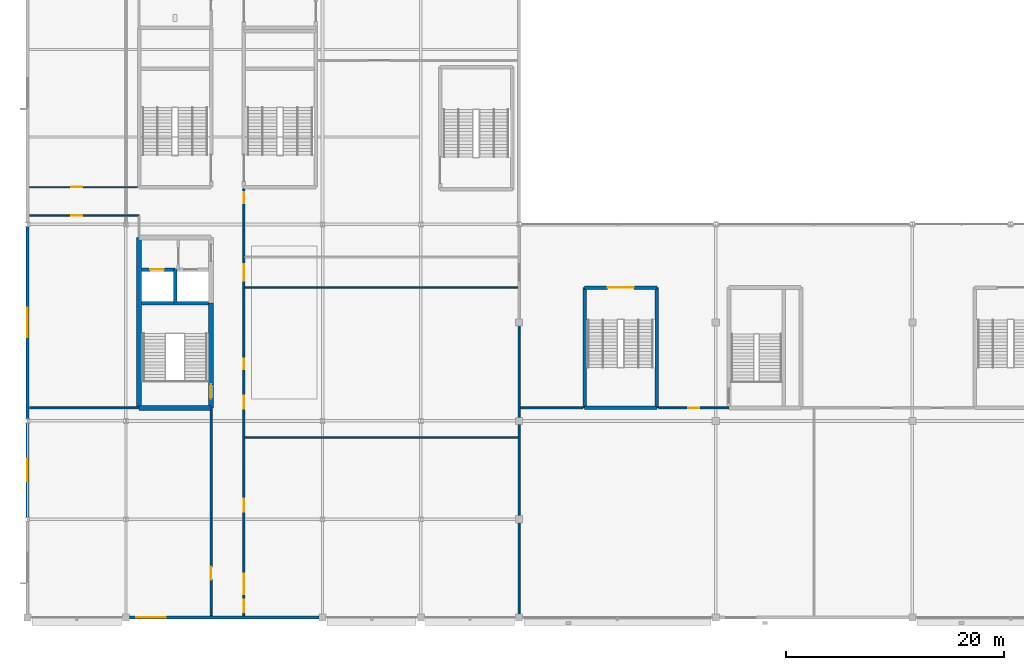
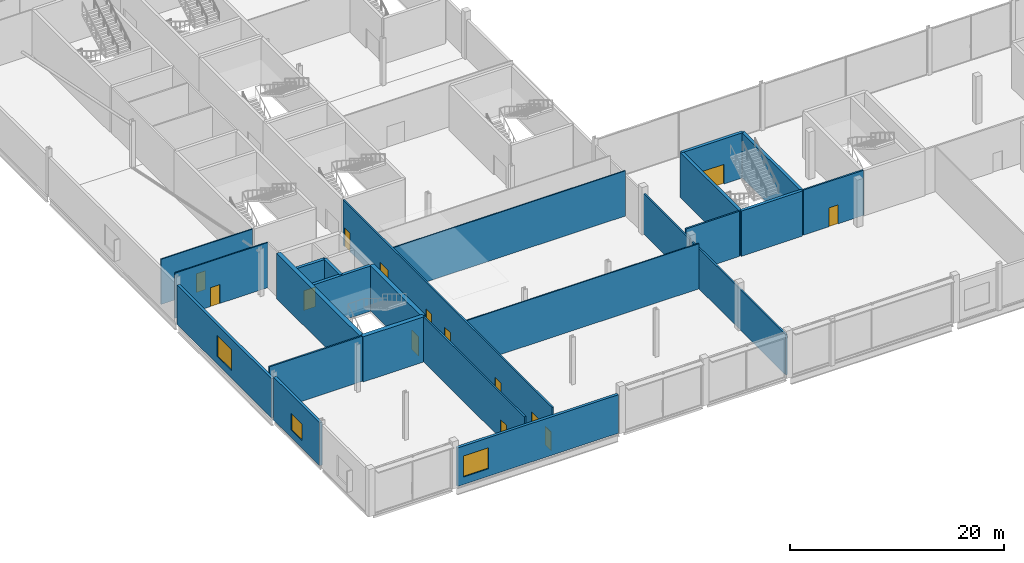
# One storey, part 58 of 111: 24 walls, 14 doors, 3 windows, 17 openings.
"""IFC4 building model written with IfcOpenShell, lengths in metres."""

import ifcopenshell
import ifcopenshell.guid

model = None  # the IFC model being written
_history = None  # IfcOwnerHistory: only IFC2X3 demands one
_inside = {}  # id of a spatial element -> (the spatial element, [elements in it])
_under = {}  # id of a project, library or spatial element -> (it, [spatial elements below it])
_declared = {}  # id of a project -> (the project, [libraries it declares])
_typed = {}  # id of a type object -> (the type object, [elements of that type])
_made_of = {}  # id of a material, layer set ... -> (it, [elements and type objects made of it])


def new_model(schema):
    """Start an empty IFC model of exactly this schema.

    Asked for "IFC4X3", IfcOpenShell would pick the latest addendum, in which some entities
    have other attributes; the version numbers below select the first issue.
    IFC2X3 requires an IfcOwnerHistory on every rooted entity: one is made here for all.
    """
    global model, _history
    if schema == "IFC4X3":
        model = ifcopenshell.file(schema_version=(4, 3, 0, 0))
    else:
        model = ifcopenshell.file(schema=schema)
    _inside.clear()
    _under.clear()
    _declared.clear()
    _typed.clear()
    _made_of.clear()
    _history = None
    if model.schema == "IFC2X3":
        org = make("IfcOrganization", Name="unknown")
        user = make(
            "IfcPersonAndOrganization",
            ThePerson=make("IfcPerson", FamilyName="unknown"),
            TheOrganization=org,
        )
        app = make(
            "IfcApplication",
            ApplicationDeveloper=org,
            Version="unknown",
            ApplicationFullName="unknown",
            ApplicationIdentifier="unknown",
        )
        _history = make(
            "IfcOwnerHistory",
            OwningUser=user,
            OwningApplication=app,
            ChangeAction="ADDED",
            CreationDate=0,
        )
    return model


def make(cls, **values):
    """One entity of the class cls with the attributes given. An attribute that is None is left unset."""
    return model.create_entity(
        cls, **{name: value for name, value in values.items() if value is not None}
    )


def rooted(cls, **values):
    """An entity with a GlobalId (a new one), such as an element, a storey or a relation."""
    return make(cls, GlobalId=ifcopenshell.guid.new(), OwnerHistory=_history, **values)


def si_unit(unit_type, name, prefix=None):
    """IfcSIUnit, for example si_unit("LENGTHUNIT", "METRE", prefix="MILLI")."""
    return make("IfcSIUnit", UnitType=unit_type, Prefix=prefix, Name=name)


def assignment(units):
    """IfcUnitAssignment: the units of a project."""
    return None if units is None else make("IfcUnitAssignment", Units=units)


def point(xyz):
    """IfcCartesianPoint."""
    return None if xyz is None else make("IfcCartesianPoint", Coordinates=xyz)


def direction(xyz):
    """IfcDirection."""
    return None if xyz is None else make("IfcDirection", DirectionRatios=xyz)


def frame(location, z_axis=None, x_axis=None):
    """IfcAxis2Placement3D, a coordinate frame: its origin and axes. An axis left out is left unset."""
    return make(
        "IfcAxis2Placement3D",
        Location=point(location),
        Axis=direction(z_axis),
        RefDirection=direction(x_axis),
    )


def frame_2d(location, x_axis=None):
    """IfcAxis2Placement2D, a coordinate frame in the plane: its origin and x axis."""
    return make(
        "IfcAxis2Placement2D", Location=point(location), RefDirection=direction(x_axis)
    )


def origin():
    """The frame at (0, 0, 0) with its axes left unset."""
    return frame((0.0, 0.0, 0.0))


def place(relative_to, where):
    """IfcLocalPlacement: puts the frame where relative to a parent placement (None: the world)."""
    return make(
        "IfcLocalPlacement", PlacementRelTo=relative_to, RelativePlacement=where
    )


def context(
    kind, dimensions, precision=None, world=None, true_north=None, identifier=None
):
    """IfcGeometricRepresentationContext, for example the 3D "Model" context."""
    return make(
        "IfcGeometricRepresentationContext",
        ContextIdentifier=identifier,
        ContextType=kind,
        CoordinateSpaceDimension=dimensions,
        Precision=precision,
        WorldCoordinateSystem=world,
        TrueNorth=true_north,
    )


def subcontext(parent, identifier, kind, view, scale=None):
    """IfcGeometricRepresentationSubContext, for example "Body" below "Model"."""
    return make(
        "IfcGeometricRepresentationSubContext",
        ContextIdentifier=identifier,
        ContextType=kind,
        ParentContext=parent,
        TargetScale=scale,
        TargetView=view,
    )


def project(units=None, contexts=None):
    """IfcProject with its units and contexts."""
    return rooted(
        "IfcProject",
        Name="project",
        RepresentationContexts=contexts,
        UnitsInContext=assignment(units),
    )


def spatial(cls, under=None, at=None, **own):
    """A site, building, storey or space (cls), placed at a placement, below another one or the project."""
    s = rooted(cls, ObjectPlacement=at, **own)
    if under is not None:
        _under.setdefault(under.id(), (under, []))[1].append(s)
    return s


def profile(cls, at=None, kind="AREA", **sizes):
    """A parametric profile (cls). Its sizes go by their IFC names, for example OverallWidth=200.0."""
    return make(cls, ProfileType=kind, Position=at, **sizes)


def rectangle(**sizes):
    """IfcRectangleProfileDef."""
    return profile("IfcRectangleProfileDef", **sizes)


def extrude(swept, where, along, depth):
    """IfcExtrudedAreaSolid: the profile swept, set in the frame where, extruded along a direction by depth."""
    return make(
        "IfcExtrudedAreaSolid",
        SweptArea=swept,
        Position=where,
        ExtrudedDirection=direction(along),
        Depth=depth,
    )


def shape(context_of_items, identifier, shape_type, items):
    """IfcShapeRepresentation: the items that make up one representation, for example the "Body"."""
    return make(
        "IfcShapeRepresentation",
        ContextOfItems=context_of_items,
        RepresentationIdentifier=identifier,
        RepresentationType=shape_type,
        Items=items,
    )


def material(Name=None, Category=None):
    """IfcMaterial."""
    return make("IfcMaterial", Name=Name, Category=Category)


def layer(
    of_material, thickness, ventilated=None, Name=None, Category=None, Priority=None
):
    """IfcMaterialLayer: one layer of a wall or slab, of a material (None: an air gap)."""
    return make(
        "IfcMaterialLayer",
        Material=of_material,
        LayerThickness=thickness,
        IsVentilated=ventilated,
        Name=Name,
        Category=Category,
        Priority=Priority,
    )


def layer_set(layers, Name=None):
    """IfcMaterialLayerSet."""
    return make("IfcMaterialLayerSet", MaterialLayers=layers, LayerSetName=Name)


def made_of(thing, what):
    """Note that an element or type object is made of a material, layer set ...; save() writes the relation."""
    if what is not None:
        _made_of.setdefault(what.id(), (what, []))[1].append(thing)
    return thing


def type_object(cls, material=None, **own):
    """A type object (cls), such as IfcWallType, which elements share."""
    return made_of(rooted(cls, **own), material)


def element(
    cls,
    number,
    at=None,
    inside=None,
    cuts=None,
    type_object=None,
    material=None,
    context=None,
    identifier="Body",
    shape_type=None,
    held_by="IfcProductDefinitionShape",
    body=None,
    shapes=None,
    **own,
):
    """One element of the class cls, such as IfcWall. Its Tag is "e" and its number.

    at: its placement. inside: the storey or other place that contains it. cuts: it is an
    opening in that element (IfcRelVoidsElement). A single representation is given by context,
    identifier, shape_type and body (its items); several are given by shapes. held_by: the class
    of the entity that holds the representations. save() writes the other relations.
    """
    e = rooted(cls, Tag="e%d" % number, ObjectPlacement=at, **own)
    if body is not None:
        shapes = [shape(context, identifier, shape_type, body)]
    if shapes is not None:
        e.Representation = make(held_by, Representations=shapes)
    if inside is not None:
        _inside.setdefault(inside.id(), (inside, []))[1].append(e)
    if cuts is not None:
        rooted(
            "IfcRelVoidsElement", RelatingBuildingElement=cuts, RelatedOpeningElement=e
        )
    if type_object is not None:
        _typed.setdefault(type_object.id(), (type_object, []))[1].append(e)
    return made_of(e, material)


def fill(opening, filler):
    """IfcRelFillsElement: the door or window that sits in an opening."""
    return rooted(
        "IfcRelFillsElement",
        RelatingOpeningElement=opening,
        RelatedBuildingElement=filler,
    )


def aggregate(whole, parts):
    """IfcRelAggregates: a whole, such as a stair, and the parts it consists of."""
    return rooted("IfcRelAggregates", RelatingObject=whole, RelatedObjects=parts)


def save(model, path):
    """Write the relations noted so far, then the file.

    IfcRelAggregates (storeys below a building ...), IfcRelContainedInSpatialStructure (elements
    in a storey), IfcRelDefinesByType, IfcRelAssociatesMaterial and IfcRelDeclares: one each for
    every whole, place, type object, material and project.
    """
    for whole, parts in _under.values():
        aggregate(whole, parts)
    for where, things in _inside.values():
        rooted(
            "IfcRelContainedInSpatialStructure",
            RelatedElements=things,
            RelatingStructure=where,
        )
    for kind, things in _typed.values():
        rooted("IfcRelDefinesByType", RelatedObjects=things, RelatingType=kind)
    for what, things in _made_of.values():
        rooted("IfcRelAssociatesMaterial", RelatedObjects=things, RelatingMaterial=what)
    for by, libraries in _declared.values():
        rooted("IfcRelDeclares", RelatingContext=by, RelatedDefinitions=libraries)
    model.write(path)


model = new_model("IFC4")

# Units and contexts
model_context = context("Model", 3, precision=1e-05, world=origin(), true_north=direction((0.0, 1.0)))
body_context = subcontext(model_context, "Body", "Model", "MODEL_VIEW")
ifc_project = project(units=[si_unit("LENGTHUNIT", "METRE"), si_unit("AREAUNIT", "SQUARE_METRE"), si_unit("VOLUMEUNIT", "CUBIC_METRE"), si_unit("PLANEANGLEUNIT", "RADIAN"), si_unit("MASSUNIT", "GRAM", prefix="KILO")], contexts=[model_context])

# Site, building, storey
site_placement = place(None, origin())
site = spatial("IfcSite", under=ifc_project, at=site_placement, CompositionType="ELEMENT")
building_placement = place(site_placement, origin())
building = spatial("IfcBuilding", under=site, at=building_placement, Name="Kisiwana Market Hall", CompositionType="ELEMENT")
storey_placement = place(building_placement, frame((0.0, 0.0, 11.39990234375)))
storey = spatial("IfcBuildingStorey", under=building, at=storey_placement, Name="L02", CompositionType="ELEMENT", Elevation=11.39990234375)

# Walls
ifc_material_1 = material(Name="Concrete C40/50", Category="concrete")
ifc_layer_1 = layer(ifc_material_1, 0.320068359375, Name="Reinforced concrete shaft wall")
ifc_layer_set_1 = layer_set([ifc_layer_1], Name="WL-CORE-320")
wall_type_1 = type_object("IfcWallType", Name="WL-CORE-320", PredefinedType="SHEAR", material=ifc_layer_set_1)
wall_1_placement = place(storey_placement, frame((10.425048828125, 28.784912109375, 0.0), z_axis=(0.0, 0.0, 1.0), x_axis=(1.0, 0.0, 0.0)))
element("IfcWall", 1, at=wall_1_placement, inside=storey, type_object=wall_type_1, Name="Core W2 shaft back shear wall W-0923", PredefinedType="SHEAR", context=body_context, shape_type="SweptSolid", body=[
    extrude(rectangle(XDim=6.14990234375, YDim=0.320068359375, at=frame_2d((3.074951171875, 0.0))), origin(), (0.0, 0.0, 1.0), 5.150146484375),
])
wall_2_placement = place(storey_placement, frame((13.5, 28.784912109375, 0.0), z_axis=(0.0, 0.0, 1.0), x_axis=(0.0, 1.0, 0.0)))
element("IfcWall", 2, at=wall_2_placement, inside=storey, type_object=wall_type_1, Name="Core W2 inter-shaft shear wall W-0924", PredefinedType="SHEAR", context=body_context, shape_type="SweptSolid", body=[
    extrude(rectangle(XDim=3.06005859375, YDim=0.320068359375, at=frame_2d((1.530029296875, 0.0))), origin(), (0.0, 0.0, 1.0), 5.150146484375),
])

# Wall, opening, door
wall_3_placement = place(storey_placement, frame((10.425048828125, 31.844970703125, 0.0), z_axis=(0.0, 0.0, 1.0), x_axis=(1.0, 0.0, 0.0)))
wall_3 = element("IfcWall", 3, at=wall_3_placement, inside=storey, type_object=wall_type_1, Name="Core W2 west lift front wall W-0925", PredefinedType="SHEAR", context=body_context, shape_type="SweptSolid", body=[
    extrude(rectangle(XDim=3.074951171875, YDim=0.320068359375, at=frame_2d((1.53759765625, 0.0))), origin(), (0.0, 0.0, 1.0), 5.150146484375),
])
opening_1_placement = place(wall_3_placement, frame((0.800048828125, 0.0, 0.0)))
opening_1 = element("IfcOpeningElement", 4, at=opening_1_placement, cuts=wall_3, Name="Opening LD-L02-001", PredefinedType="OPENING", context=body_context, shape_type="SweptSolid", body=[
    extrude(rectangle(XDim=1.25, YDim=2.25, at=frame_2d((0.625, 1.125))), frame((0.0, 0.171875, 0.0), z_axis=(0.0, -1.0, 0.0), x_axis=(1.0, 0.0, 0.0)), (0.0, 0.0, 1.0), 0.343994140625),
])
ifc_material_2 = material(Name="Steel S275", Category="steel")
door_type_1 = type_object("IfcDoorType", Name="DR-LIFT-FFL-1250", OperationType="DOUBLE_DOOR_SLIDING", PredefinedType="DOOR", material=ifc_material_2)
door_1_placement = place(opening_1_placement, origin())
door_1 = element("IfcDoor", 5, at=door_1_placement, inside=storey, type_object=door_type_1, Name="Lift Landing Door FFL-01 (L02)", OperationType="DOUBLE_DOOR_SLIDING", OverallHeight=2.25, OverallWidth=1.25, PredefinedType="DOOR", context=body_context, shape_type="SweptSolid", body=[
    extrude(rectangle(XDim=1.25, YDim=2.25, at=frame_2d((0.625, 1.125))), frame((0.0, 0.02490234375, 0.0), z_axis=(0.0, -1.0, 0.0), x_axis=(1.0, 0.0, 0.0)), (0.0, 0.0, 1.0), 0.050048828125),
])
fill(opening_1, door_1)

# Wall
wall_4_placement = place(storey_placement, frame((51.0, 19.199951171875, 0.0), z_axis=(0.0, 0.0, 1.0), x_axis=(1.0, 0.0, 0.0)))
element("IfcWall", 6, at=wall_4_placement, inside=storey, type_object=wall_type_1, Name="Core S3 outer shear wall W-1040", PredefinedType="SHEAR", context=body_context, shape_type="SweptSolid", body=[
    extrude(rectangle(XDim=6.60009765625, YDim=0.320068359375, at=frame_2d((3.300048828125, 0.0))), origin(), (0.0, 0.0, 1.0), 5.150146484375),
])

# Wall, opening, door
wall_5_placement = place(storey_placement, frame((51.0, 30.199951171875, 0.0), z_axis=(0.0, 0.0, 1.0), x_axis=(1.0, 0.0, 0.0)))
wall_5 = element("IfcWall", 7, at=wall_5_placement, inside=storey, type_object=wall_type_1, Name="Core S3 corridor shear wall W-1041", PredefinedType="SHEAR", context=body_context, shape_type="SweptSolid", body=[
    extrude(rectangle(XDim=6.60009765625, YDim=0.320068359375, at=frame_2d((3.300048828125, 0.0))), origin(), (0.0, 0.0, 1.0), 5.150146484375),
])
opening_2_placement = place(wall_5_placement, frame((2.10009765625, 0.0, 0.0)))
opening_2 = element("IfcOpeningElement", 8, at=opening_2_placement, cuts=wall_5, Name="Opening DR-L02-035", PredefinedType="OPENING", context=body_context, shape_type="SweptSolid", body=[
    extrude(rectangle(XDim=2.39990234375, YDim=2.25, at=frame_2d((1.199951171875, 1.125))), frame((0.0, 0.171875, 0.0), z_axis=(0.0, -1.0, 0.0), x_axis=(1.0, 0.0, 0.0)), (0.0, 0.0, 1.0), 0.343994140625),
])
ifc_material_3 = material(Name="Steel S275", Category="steel")
door_type_2 = type_object("IfcDoorType", Name="DR-STAIR-FD120-2400", OperationType="DOUBLE_DOOR_SINGLE_SWING", PredefinedType="DOOR", material=ifc_material_3)
door_2_placement = place(opening_2_placement, frame((2.39990234375, 0.0, 0.0), z_axis=(0.0, 0.0, 1.0), x_axis=(-1.0, 0.0, 0.0)))
door_2 = element("IfcDoor", 9, at=door_2_placement, inside=storey, type_object=door_type_2, Name="Escape Stair S3 Fire Door (L02)", OperationType="DOUBLE_DOOR_SINGLE_SWING", OverallHeight=2.25, OverallWidth=2.39990234375, PredefinedType="DOOR", context=body_context, shape_type="SweptSolid", body=[
    extrude(rectangle(XDim=2.39990234375, YDim=2.25, at=frame_2d((1.199951171875, 1.125))), frame((0.0, 0.02490234375, 0.0), z_axis=(0.0, -1.0, 0.0), x_axis=(1.0, 0.0, 0.0)), (0.0, 0.0, 1.0), 0.050048828125),
])
fill(opening_2, door_2)

# Walls
for number, where, z_axis, x_axis, name in (
    (10, (51.0, 19.199951171875, 0.0), (0.0, 0.0, 1.0), (0.0, 1.0, 0.0), "Core S3 west shear wall W-1042"),
    (11, (57.60009765625, 19.199951171875, 0.0), (0.0, 0.0, 1.0), (0.0, 1.0, 0.0), "Core S3 east shear wall W-1043"),
):
    element("IfcWall", number, at=place(storey_placement, frame(where, z_axis=z_axis, x_axis=x_axis)), inside=storey, type_object=wall_type_1, Name=name, PredefinedType="SHEAR", context=body_context, shape_type="SweptSolid", body=[
        extrude(rectangle(XDim=11.0, YDim=0.320068359375, at=frame_2d((5.5, 0.0))), origin(), (0.0, 0.0, 1.0), 5.150146484375),
    ])
ifc_material_4 = material(Name="Concrete C40/50", Category="concrete")
ifc_layer_2 = layer(ifc_material_4, 0.449951171875, Name="Reinforced concrete core wall")
ifc_layer_set_2 = layer_set([ifc_layer_2], Name="WL-CORE-450")
wall_type_2 = type_object("IfcWallType", Name="WL-CORE-450", PredefinedType="SHEAR", material=ifc_layer_set_2)
wall_6_placement = place(storey_placement, frame((10.199951171875, 19.199951171875, 0.0), z_axis=(0.0, 0.0, 1.0), x_axis=(1.0, 0.0, 0.0)))
element("IfcWall", 12, at=wall_6_placement, inside=storey, type_object=wall_type_2, Name="Core W2 south shear wall W-0918", PredefinedType="SHEAR", context=body_context, shape_type="SweptSolid", body=[
    extrude(rectangle(XDim=6.60009765625, YDim=0.449951171875, at=frame_2d((3.300048828125, 0.0))), origin(), (0.0, 0.0, 1.0), 5.150146484375),
])
wall_7_placement = place(storey_placement, frame((10.199951171875, 19.199951171875, 0.0), z_axis=(0.0, 0.0, 1.0), x_axis=(0.0, 1.0, 0.0)))
element("IfcWall", 13, at=wall_7_placement, inside=storey, type_object=wall_type_2, Name="Core W2 outer shear wall W-0920", PredefinedType="SHEAR", context=body_context, shape_type="SweptSolid", body=[
    extrude(rectangle(XDim=15.60009765625, YDim=0.449951171875, at=frame_2d((7.800048828125, 0.0))), origin(), (0.0, 0.0, 1.0), 5.150146484375),
])

# Wall, opening, door
wall_8_placement = place(storey_placement, frame((16.800048828125, 19.199951171875, 0.0), z_axis=(0.0, 0.0, 1.0), x_axis=(0.0, 1.0, 0.0)))
wall_8 = element("IfcWall", 14, at=wall_8_placement, inside=storey, type_object=wall_type_2, Name="Core W2 stair corridor shear wall W-0921", PredefinedType="SHEAR", context=body_context, shape_type="SweptSolid", body=[
    extrude(rectangle(XDim=9.5849609375, YDim=0.449951171875, at=frame_2d((4.79248046875, 0.0))), origin(), (0.0, 0.0, 1.0), 5.150146484375),
])
opening_3_placement = place(wall_8_placement, frame((0.85009765625, 0.0, 0.0)))
opening_3 = element("IfcOpeningElement", 15, at=opening_3_placement, cuts=wall_8, Name="Opening DR-L02-001", PredefinedType="OPENING", context=body_context, shape_type="SweptSolid", body=[
    extrude(rectangle(XDim=1.300048828125, YDim=2.199951171875, at=frame_2d((0.64990234375, 1.10009765625))), frame((0.0, 0.23681640625, 0.0), z_axis=(0.0, -1.0, 0.0), x_axis=(1.0, 0.0, 0.0)), (0.0, 0.0, 1.0), 0.473876953125),
])
ifc_material_5 = material(Name="Steel S275", Category="steel")
door_type_3 = type_object("IfcDoorType", Name="DR-STAIR-FD120-1300", OperationType="NOTDEFINED", PredefinedType="DOOR", material=ifc_material_5)
door_3_placement = place(opening_3_placement, origin())
door_3 = element("IfcDoor", 16, at=door_3_placement, inside=storey, type_object=door_type_3, Name="Escape Stair W2 Fire Door (L02)", OperationType="SINGLE_SWING_LEFT", OverallHeight=2.199951171875, OverallWidth=1.300048828125, PredefinedType="DOOR", context=body_context, shape_type="SweptSolid", body=[
    extrude(rectangle(XDim=1.300048828125, YDim=2.199951171875, at=frame_2d((0.64990234375, 1.10009765625))), frame((0.0, 0.02490234375, 0.0), z_axis=(0.0, -1.0, 0.0), x_axis=(1.0, 0.0, 0.0)), (0.0, 0.0, 1.0), 0.050048828125),
])
fill(opening_3, door_3)

# Wall
ifc_material_6 = material(Name="Masonry blockwork", Category="masonry")
ifc_layer_3 = layer(ifc_material_6, 0.169921875, Name="Protected corridor partition")
ifc_layer_set_3 = layer_set([ifc_layer_3], Name="WL-CORR-170")
wall_type_3 = type_object("IfcWallType", Name="WL-CORR-170", PredefinedType="PARTITIONING", material=ifc_layer_set_3)
wall_9_placement = place(storey_placement, frame((0.1826171875, 19.199951171875, 0.0), z_axis=(0.0, 0.0, 1.0), x_axis=(1.0, 0.0, 0.0)))
element("IfcWall", 17, at=wall_9_placement, inside=storey, type_object=wall_type_3, Name="Interior partition W-1110", PredefinedType="PARTITIONING", context=body_context, shape_type="SweptSolid", body=[
    extrude(rectangle(XDim=10.017333984375, YDim=0.169921875, at=frame_2d((5.0087890625, 0.0))), origin(), (0.0, 0.0, 1.0), 5.150146484375),
])

# Wall, opening, door
wall_10_placement = place(storey_placement, frame((16.800048828125, 0.1826171875, 0.0), z_axis=(0.0, 0.0, 1.0), x_axis=(0.0, 1.0, 0.0)))
wall_10 = element("IfcWall", 18, at=wall_10_placement, inside=storey, type_object=wall_type_3, Name="Interior partition W-1116", PredefinedType="PARTITIONING", context=body_context, shape_type="SweptSolid", body=[
    extrude(rectangle(XDim=19.017333984375, YDim=0.169921875, at=frame_2d((9.5087890625, 0.0))), origin(), (0.0, 0.0, 1.0), 5.150146484375),
])
opening_4_placement = place(wall_10_placement, frame((3.300048828125, 0.0, 0.0)))
opening_4 = element("IfcOpeningElement", 19, at=opening_4_placement, cuts=wall_10, Name="Opening DR-L02-049", PredefinedType="OPENING", context=body_context, shape_type="SweptSolid", body=[
    extrude(rectangle(XDim=1.14990234375, YDim=2.14990234375, at=frame_2d((0.574951171875, 1.074951171875))), frame((0.0, 0.096923828125, 0.0), z_axis=(0.0, -1.0, 0.0), x_axis=(1.0, 0.0, 0.0)), (0.0, 0.0, 1.0), 0.19384765625),
])
ifc_material_7 = material(Name="Aluminium alloy 6063-T6", Category="aluminium")
door_type_4 = type_object("IfcDoorType", Name="DR-MEET-1150", OperationType="NOTDEFINED", PredefinedType="DOOR", material=ifc_material_7)
door_4_placement = place(opening_4_placement, origin())
door_4 = element("IfcDoor", 20, at=door_4_placement, inside=storey, type_object=door_type_4, Name="L02 W Corner Office Suite South Door", OperationType="SINGLE_SWING_LEFT", OverallHeight=2.14990234375, OverallWidth=1.14990234375, PredefinedType="DOOR", context=body_context, shape_type="SweptSolid", body=[
    extrude(rectangle(XDim=1.14990234375, YDim=2.14990234375, at=frame_2d((0.574951171875, 1.074951171875))), frame((0.0, 0.02490234375, 0.0), z_axis=(0.0, -1.0, 0.0), x_axis=(1.0, 0.0, 0.0)), (0.0, 0.0, 1.0), 0.050048828125),
])
fill(opening_4, door_4)

# Wall, openings, doors
wall_11_placement = place(storey_placement, frame((19.800048828125, 0.1826171875, 0.0), z_axis=(0.0, 0.0, 1.0), x_axis=(0.0, 1.0, 0.0)))
wall_11 = element("IfcWall", 21, at=wall_11_placement, inside=storey, type_object=wall_type_3, Name="Interior partition W-1126", PredefinedType="PARTITIONING", context=body_context, shape_type="SweptSolid", body=[
    extrude(rectangle(XDim=39.057373046875, YDim=0.169921875, at=frame_2d((19.52880859375, 0.0))), origin(), (0.0, 0.0, 1.0), 5.150146484375),
])
opening_5_placement = place(wall_11_placement, frame((9.527099609375, 0.0, 0.0)))
opening_5 = element("IfcOpeningElement", 22, at=opening_5_placement, cuts=wall_11, Name="Opening DR-L02-053", PredefinedType="OPENING", context=body_context, shape_type="SweptSolid", body=[
    extrude(rectangle(XDim=1.14990234375, YDim=2.14990234375, at=frame_2d((0.574951171875, 1.074951171875))), frame((0.0, 0.096923828125, 0.0), z_axis=(0.0, -1.0, 0.0), x_axis=(1.0, 0.0, 0.0)), (0.0, 0.0, 1.0), 0.19384765625),
])
opening_6_placement = place(wall_11_placement, frame((22.527099609375, 0.0, 0.0)))
opening_6 = element("IfcOpeningElement", 23, at=opening_6_placement, cuts=wall_11, Name="Opening DR-L02-054", PredefinedType="OPENING", context=body_context, shape_type="SweptSolid", body=[
    extrude(rectangle(XDim=1.0, YDim=2.14990234375, at=frame_2d((0.5, 1.074951171875))), frame((0.0, 0.096923828125, 0.0), z_axis=(0.0, -1.0, 0.0), x_axis=(1.0, 0.0, 0.0)), (0.0, 0.0, 1.0), 0.19384765625),
])
opening_7_placement = place(wall_11_placement, frame((30.66796875, 0.0, 0.0)))
opening_7 = element("IfcOpeningElement", 24, at=opening_7_placement, cuts=wall_11, Name="Opening DR-L02-055", PredefinedType="OPENING", context=body_context, shape_type="SweptSolid", body=[
    extrude(rectangle(XDim=1.5, YDim=2.199951171875, at=frame_2d((0.75, 1.10009765625))), frame((0.0, 0.096923828125, 0.0), z_axis=(0.0, -1.0, 0.0), x_axis=(1.0, 0.0, 0.0)), (0.0, 0.0, 1.0), 0.19384765625),
])
opening_8_placement = place(wall_11_placement, frame((18.9541015625, 0.0, 0.0)))
opening_8 = element("IfcOpeningElement", 25, at=opening_8_placement, cuts=wall_11, Name="Opening DR-L02-056", PredefinedType="OPENING", context=body_context, shape_type="SweptSolid", body=[
    extrude(rectangle(XDim=1.14990234375, YDim=2.14990234375, at=frame_2d((0.574951171875, 1.074951171875))), frame((0.0, 0.096923828125, 0.0), z_axis=(0.0, -1.0, 0.0), x_axis=(1.0, 0.0, 0.0)), (0.0, 0.0, 1.0), 0.19384765625),
])
opening_9_placement = place(wall_11_placement, frame((0.300048828125, 0.0, 0.0)))
opening_9 = element("IfcOpeningElement", 26, at=opening_9_placement, cuts=wall_11, Name="Opening DR-L02-057", PredefinedType="OPENING", context=body_context, shape_type="SweptSolid", body=[
    extrude(rectangle(XDim=1.14990234375, YDim=2.14990234375, at=frame_2d((0.574951171875, 1.074951171875))), frame((0.0, 0.096923828125, 0.0), z_axis=(0.0, -1.0, 0.0), x_axis=(1.0, 0.0, 0.0)), (0.0, 0.0, 1.0), 0.19384765625),
])
opening_10_placement = place(wall_11_placement, frame((37.758056640625, 0.0, 0.0)))
opening_10 = element("IfcOpeningElement", 27, at=opening_10_placement, cuts=wall_11, Name="Opening DR-L02-058", PredefinedType="OPENING", context=body_context, shape_type="SweptSolid", body=[
    extrude(rectangle(XDim=1.0, YDim=2.14990234375, at=frame_2d((0.5, 1.074951171875))), frame((0.0, 0.096923828125, 0.0), z_axis=(0.0, -1.0, 0.0), x_axis=(1.0, 0.0, 0.0)), (0.0, 0.0, 1.0), 0.19384765625),
])
opening_11_placement = place(wall_11_placement, frame((1.949951171875, 0.0, 0.0)))
opening_11 = element("IfcOpeningElement", 28, at=opening_11_placement, cuts=wall_11, Name="Opening DR-L02-059", PredefinedType="OPENING", context=body_context, shape_type="SweptSolid", body=[
    extrude(rectangle(XDim=1.89990234375, YDim=2.35009765625, at=frame_2d((0.949951171875, 1.175048828125))), frame((0.0, 0.096923828125, 0.0), z_axis=(0.0, -1.0, 0.0), x_axis=(1.0, 0.0, 0.0)), (0.0, 0.0, 1.0), 0.19384765625),
])
ifc_material_8 = material(Name="Steel S275", Category="steel")
door_type_5 = type_object("IfcDoorType", Name="DR-CORR-FD60-1500", OperationType="DOUBLE_DOOR_SINGLE_SWING", PredefinedType="DOOR", material=ifc_material_8)
door_5_placement = place(opening_7_placement, origin())
door_5 = element("IfcDoor", 29, at=door_5_placement, inside=storey, type_object=door_type_5, Name="L02 W South Guild Link Corridor Door", OperationType="DOUBLE_DOOR_SINGLE_SWING", OverallHeight=2.199951171875, OverallWidth=1.5, PredefinedType="DOOR", context=body_context, shape_type="SweptSolid", body=[
    extrude(rectangle(XDim=1.5, YDim=2.199951171875, at=frame_2d((0.75, 1.10009765625))), frame((0.0, 0.02490234375, 0.0), z_axis=(0.0, -1.0, 0.0), x_axis=(1.0, 0.0, 0.0)), (0.0, 0.0, 1.0), 0.050048828125),
])
fill(opening_7, door_5)
ifc_material_9 = material(Name="Steel S275", Category="steel")
door_type_6 = type_object("IfcDoorType", Name="DR-HALL-1900", OperationType="DOUBLE_DOOR_SINGLE_SWING", PredefinedType="DOOR", material=ifc_material_9)
door_6_placement = place(opening_11_placement, frame((1.89990234375, 0.0, 0.0), z_axis=(0.0, 0.0, 1.0), x_axis=(-1.0, 0.0, 0.0)))
door_6 = element("IfcDoor", 30, at=door_6_placement, inside=storey, type_object=door_type_6, Name="L02 W Spice Guild Chamber Exit Door", OperationType="DOUBLE_DOOR_SINGLE_SWING", OverallHeight=2.35009765625, OverallWidth=1.89990234375, PredefinedType="DOOR", context=body_context, shape_type="SweptSolid", body=[
    extrude(rectangle(XDim=1.89990234375, YDim=2.35009765625, at=frame_2d((0.949951171875, 1.175048828125))), frame((0.0, 0.02490234375, 0.0), z_axis=(0.0, -1.0, 0.0), x_axis=(1.0, 0.0, 0.0)), (0.0, 0.0, 1.0), 0.050048828125),
])
fill(opening_11, door_6)
door_7_placement = place(opening_5_placement, frame((1.14990234375, 0.0, 0.0), z_axis=(0.0, 0.0, 1.0), x_axis=(-1.0, 0.0, 0.0)))
door_7 = element("IfcDoor", 31, at=door_7_placement, inside=storey, type_object=door_type_4, Name="L02 W Spice Guild Chamber Door", OperationType="SINGLE_SWING_RIGHT", OverallHeight=2.14990234375, OverallWidth=1.14990234375, PredefinedType="DOOR", context=body_context, shape_type="SweptSolid", body=[
    extrude(rectangle(XDim=1.14990234375, YDim=2.14990234375, at=frame_2d((0.574951171875, 1.074951171875))), frame((0.0, 0.02490234375, 0.0), z_axis=(0.0, -1.0, 0.0), x_axis=(1.0, 0.0, 0.0)), (0.0, 0.0, 1.0), 0.050048828125),
])
fill(opening_5, door_7)
door_8_placement = place(opening_8_placement, frame((1.14990234375, 0.0, 0.0), z_axis=(0.0, 0.0, 1.0), x_axis=(-1.0, 0.0, 0.0)))
door_8 = element("IfcDoor", 32, at=door_8_placement, inside=storey, type_object=door_type_4, Name="L02 W Food Safety Laboratory Door", OperationType="SINGLE_SWING_LEFT", OverallHeight=2.14990234375, OverallWidth=1.14990234375, PredefinedType="DOOR", context=body_context, shape_type="SweptSolid", body=[
    extrude(rectangle(XDim=1.14990234375, YDim=2.14990234375, at=frame_2d((0.574951171875, 1.074951171875))), frame((0.0, 0.02490234375, 0.0), z_axis=(0.0, -1.0, 0.0), x_axis=(1.0, 0.0, 0.0)), (0.0, 0.0, 1.0), 0.050048828125),
])
fill(opening_8, door_8)
door_9_placement = place(opening_9_placement, frame((1.14990234375, 0.0, 0.0), z_axis=(0.0, 0.0, 1.0), x_axis=(-1.0, 0.0, 0.0)))
door_9 = element("IfcDoor", 33, at=door_9_placement, inside=storey, type_object=door_type_4, Name="L02 W Cooperative Boardroom Door", OperationType="SINGLE_SWING_RIGHT", OverallHeight=2.14990234375, OverallWidth=1.14990234375, PredefinedType="DOOR", context=body_context, shape_type="SweptSolid", body=[
    extrude(rectangle(XDim=1.14990234375, YDim=2.14990234375, at=frame_2d((0.574951171875, 1.074951171875))), frame((0.0, 0.02490234375, 0.0), z_axis=(0.0, -1.0, 0.0), x_axis=(1.0, 0.0, 0.0)), (0.0, 0.0, 1.0), 0.050048828125),
])
fill(opening_9, door_9)
ifc_material_10 = material(Name="Aluminium alloy 6063-T6", Category="aluminium")
door_type_7 = type_object("IfcDoorType", Name="DR-OFF-1000", OperationType="NOTDEFINED", PredefinedType="DOOR", material=ifc_material_10)
door_10_placement = place(opening_6_placement, frame((1.0, 0.0, 0.0), z_axis=(0.0, 0.0, 1.0), x_axis=(-1.0, 0.0, 0.0)))
door_10 = element("IfcDoor", 34, at=door_10_placement, inside=storey, type_object=door_type_7, Name="L02 W Co-Working Studio South Door", OperationType="SINGLE_SWING_LEFT", OverallHeight=2.14990234375, OverallWidth=1.0, PredefinedType="DOOR", context=body_context, shape_type="SweptSolid", body=[
    extrude(rectangle(XDim=1.0, YDim=2.14990234375, at=frame_2d((0.5, 1.074951171875))), frame((0.0, 0.02490234375, 0.0), z_axis=(0.0, -1.0, 0.0), x_axis=(1.0, 0.0, 0.0)), (0.0, 0.0, 1.0), 0.050048828125),
])
fill(opening_6, door_10)
door_11_placement = place(opening_10_placement, frame((1.0, 0.0, 0.0), z_axis=(0.0, 0.0, 1.0), x_axis=(-1.0, 0.0, 0.0)))
door_11 = element("IfcDoor", 35, at=door_11_placement, inside=storey, type_object=door_type_7, Name="L02 W Maritime Trade Guild Office Door", OperationType="SINGLE_SWING_LEFT", OverallHeight=2.14990234375, OverallWidth=1.0, PredefinedType="DOOR", context=body_context, shape_type="SweptSolid", body=[
    extrude(rectangle(XDim=1.0, YDim=2.14990234375, at=frame_2d((0.5, 1.074951171875))), frame((0.0, 0.02490234375, 0.0), z_axis=(0.0, -1.0, 0.0), x_axis=(1.0, 0.0, 0.0)), (0.0, 0.0, 1.0), 0.050048828125),
])
fill(opening_10, door_11)

# Walls
wall_12_placement = place(storey_placement, frame((45.0, 0.219970703125, 0.0), z_axis=(0.0, 0.0, 1.0), x_axis=(0.0, 1.0, 0.0)))
element("IfcWall", 36, at=wall_12_placement, inside=storey, type_object=wall_type_3, Name="Interior partition W-1128", PredefinedType="PARTITIONING", context=body_context, shape_type="SweptSolid", body=[
    extrude(rectangle(XDim=17.56005859375, YDim=0.169921875, at=frame_2d((8.780029296875, 0.0))), origin(), (0.0, 0.0, 1.0), 4.60888671875),
])
wall_13_placement = place(storey_placement, frame((45.0, 18.219970703125, 0.0), z_axis=(0.0, 0.0, 1.0), x_axis=(0.0, 1.0, 0.0)))
element("IfcWall", 37, at=wall_13_placement, inside=storey, type_object=wall_type_3, Name="Interior partition W-1129", PredefinedType="PARTITIONING", context=body_context, shape_type="SweptSolid", body=[
    extrude(rectangle(XDim=8.56005859375, YDim=0.169921875, at=frame_2d((4.280029296875, 0.0))), origin(), (0.0, 0.0, 1.0), 4.616943359375),
])
wall_14_placement = place(storey_placement, frame((45.0849609375, 19.199951171875, 0.0), z_axis=(0.0, 0.0, 1.0), x_axis=(1.0, 0.0, 0.0)))
element("IfcWall", 38, at=wall_14_placement, inside=storey, type_object=wall_type_3, Name="Interior partition W-1170", PredefinedType="PARTITIONING", context=body_context, shape_type="SweptSolid", body=[
    extrude(rectangle(XDim=5.755126953125, YDim=0.169921875, at=frame_2d((2.87744140625, 0.0))), origin(), (0.0, 0.0, 1.0), 5.150146484375),
])

# Wall, opening, door
wall_15_placement = place(storey_placement, frame((57.760009765625, 19.199951171875, 0.0), z_axis=(0.0, 0.0, 1.0), x_axis=(1.0, 0.0, 0.0)))
wall_15 = element("IfcWall", 39, at=wall_15_placement, inside=storey, type_object=wall_type_3, Name="Interior partition W-1171", PredefinedType="PARTITIONING", context=body_context, shape_type="SweptSolid", body=[
    extrude(rectangle(XDim=6.43994140625, YDim=0.169921875, at=frame_2d((3.219970703125, 0.0))), origin(), (0.0, 0.0, 1.0), 5.150146484375),
])
opening_12_placement = place(wall_15_placement, frame((2.719970703125, 0.0, 0.0)))
opening_12 = element("IfcOpeningElement", 40, at=opening_12_placement, cuts=wall_15, Name="Opening DR-L02-087", PredefinedType="OPENING", context=body_context, shape_type="SweptSolid", body=[
    extrude(rectangle(XDim=1.0, YDim=2.14990234375, at=frame_2d((0.5, 1.074951171875))), frame((0.0, 0.096923828125, 0.0), z_axis=(0.0, -1.0, 0.0), x_axis=(1.0, 0.0, 0.0)), (0.0, 0.0, 1.0), 0.19384765625),
])
door_12_placement = place(opening_12_placement, origin())
door_12 = element("IfcDoor", 41, at=door_12_placement, inside=storey, type_object=door_type_7, Name="L02 Guild S1 Door", OperationType="SINGLE_SWING_LEFT", OverallHeight=2.14990234375, OverallWidth=1.0, PredefinedType="DOOR", context=body_context, shape_type="SweptSolid", body=[
    extrude(rectangle(XDim=1.0, YDim=2.14990234375, at=frame_2d((0.5, 1.074951171875))), frame((0.0, 0.02490234375, 0.0), z_axis=(0.0, -1.0, 0.0), x_axis=(1.0, 0.0, 0.0)), (0.0, 0.0, 1.0), 0.050048828125),
])
fill(opening_12, door_12)

# Wall, opening, window
ifc_material_11 = material(Name="Masonry blockwork", Category="masonry")
ifc_layer_4 = layer(ifc_material_11, 0.139892578125, Name="Rendered masonry outer leaf")
ifc_material_12 = material(Name="Mineral wool insulation")
ifc_layer_5 = layer(ifc_material_12, 0.074951171875, Name="Mineral wool cavity insulation")
ifc_material_13 = material(Name="Gypsum plasterboard")
ifc_layer_6 = layer(ifc_material_13, 0.074951171875, Name="Calcium silicate inner lining")
ifc_layer_set_4 = layer_set([ifc_layer_4, ifc_layer_5, ifc_layer_6], Name="WL-EXT-MAS-290")
wall_type_4 = type_object("IfcWallType", Name="WL-EXT-MAS-290", PredefinedType="STANDARD", material=ifc_layer_set_4)
wall_16_placement = place(storey_placement, frame((9.31689453125, 0.0, 0.0), z_axis=(0.0, 0.0, 1.0), x_axis=(1.0, 0.0, 0.0)))
wall_16 = element("IfcWall", 42, at=wall_16_placement, inside=storey, type_object=wall_type_4, Name="Exterior wall W-1072", PredefinedType="STANDARD", context=body_context, shape_type="SweptSolid", body=[
    extrude(rectangle(XDim=17.3662109375, YDim=0.2900390625, at=frame_2d((8.68310546875, 0.0))), origin(), (0.0, 0.0, 1.0), 4.387939453125),
])
opening_13_placement = place(wall_16_placement, frame((0.64990234375, 0.0, 0.85009765625)))
opening_13 = element("IfcOpeningElement", 43, at=opening_13_placement, cuts=wall_16, Name="Opening WN-10", PredefinedType="OPENING", context=body_context, shape_type="SweptSolid", body=[
    extrude(rectangle(XDim=2.699951171875, YDim=2.39990234375, at=frame_2d((1.35009765625, 1.199951171875))), frame((0.0, 0.156982421875, 0.0), z_axis=(0.0, -1.0, 0.0), x_axis=(1.0, 0.0, 0.0)), (0.0, 0.0, 1.0), 0.31396484375),
])
ifc_material_14 = material(Name="Double-glazed solar-control low-E IGU", Category="glass")
window_type_1 = type_object("IfcWindowType", Name="WN-GLD-2700x2400", PartitioningType="SINGLE_PANEL", PredefinedType="WINDOW", material=ifc_material_14)
window_1_placement = place(opening_13_placement, origin())
window_1 = element("IfcWindow", 44, at=window_1_placement, inside=storey, type_object=window_type_1, Name="Exterior window WN-029", OverallHeight=2.39990234375, OverallWidth=2.699951171875, PartitioningType="SINGLE_PANEL", PredefinedType="WINDOW", context=body_context, shape_type="SweptSolid", body=[
    extrude(rectangle(XDim=2.699951171875, YDim=2.39990234375, at=frame_2d((1.35009765625, 1.199951171875))), frame((0.0, 0.030029296875, 0.0), z_axis=(0.0, -1.0, 0.0), x_axis=(1.0, 0.0, 0.0)), (0.0, 0.0, 1.0), 0.06005859375),
])
fill(opening_13, window_1)

wall_17_placement = place(storey_placement, frame((0.0, 9.1884765625, 0.0), z_axis=(0.0, 0.0, 1.0), x_axis=(0.0, 1.0, 0.0)))
wall_17 = element("IfcWall", 45, at=wall_17_placement, inside=storey, type_object=wall_type_4, Name="Exterior wall W-1081", PredefinedType="STANDARD", context=body_context, shape_type="SweptSolid", body=[
    extrude(rectangle(XDim=8.617431640625, YDim=0.2900390625, at=frame_2d((4.30859375, 0.0))), origin(), (0.0, 0.0, 1.0), 4.900146484375),
])
opening_14_placement = place(wall_17_placement, frame((3.28369140625, 0.0, 0.85009765625)))
opening_14 = element("IfcOpeningElement", 46, at=opening_14_placement, cuts=wall_17, Name="Opening W-33", PredefinedType="OPENING", context=body_context, shape_type="SweptSolid", body=[
    extrude(rectangle(XDim=2.050048828125, YDim=1.89990234375, at=frame_2d((1.02490234375, 0.949951171875))), frame((0.0, 0.156982421875, 0.0), z_axis=(0.0, -1.0, 0.0), x_axis=(1.0, 0.0, 0.0)), (0.0, 0.0, 1.0), 0.31396484375),
])
ifc_material_15 = material(Name="Double-glazed solar-control low-E IGU", Category="glass")
window_type_2 = type_object("IfcWindowType", Name="WN-TWRB-2050x1900", PartitioningType="SINGLE_PANEL", PredefinedType="WINDOW", material=ifc_material_15)
window_2_placement = place(opening_14_placement, origin())
window_2 = element("IfcWindow", 47, at=window_2_placement, inside=storey, type_object=window_type_2, Name="Exterior window WN-025", OverallHeight=1.89990234375, OverallWidth=2.050048828125, PartitioningType="SINGLE_PANEL", PredefinedType="WINDOW", context=body_context, shape_type="SweptSolid", body=[
    extrude(rectangle(XDim=2.050048828125, YDim=1.89990234375, at=frame_2d((1.02490234375, 0.949951171875))), frame((0.0, 0.030029296875, 0.0), z_axis=(0.0, -1.0, 0.0), x_axis=(1.0, 0.0, 0.0)), (0.0, 0.0, 1.0), 0.06005859375),
])
fill(opening_14, window_2)

wall_18_placement = place(storey_placement, frame((0.0, 18.194091796875, 0.0), z_axis=(0.0, 0.0, 1.0), x_axis=(0.0, 1.0, 0.0)))
wall_18 = element("IfcWall", 48, at=wall_18_placement, inside=storey, type_object=wall_type_4, Name="Exterior wall W-1082", PredefinedType="STANDARD", context=body_context, shape_type="SweptSolid", body=[
    extrude(rectangle(XDim=17.61181640625, YDim=0.2900390625, at=frame_2d((8.805908203125, 0.0))), origin(), (0.0, 0.0, 1.0), 4.466552734375),
])
opening_15_placement = place(wall_18_placement, frame((7.4560546875, 0.0, 0.85009765625)))
opening_15 = element("IfcOpeningElement", 49, at=opening_15_placement, cuts=wall_18, Name="Opening WN-10", PredefinedType="OPENING", context=body_context, shape_type="SweptSolid", body=[
    extrude(rectangle(XDim=2.699951171875, YDim=2.39990234375, at=frame_2d((1.35009765625, 1.199951171875))), frame((0.0, 0.156982421875, 0.0), z_axis=(0.0, -1.0, 0.0), x_axis=(1.0, 0.0, 0.0)), (0.0, 0.0, 1.0), 0.31396484375),
])
window_3_placement = place(opening_15_placement, origin())
window_3 = element("IfcWindow", 50, at=window_3_placement, inside=storey, type_object=window_type_1, Name="Exterior window WN-038", OverallHeight=2.39990234375, OverallWidth=2.699951171875, PartitioningType="SINGLE_PANEL", PredefinedType="WINDOW", context=body_context, shape_type="SweptSolid", body=[
    extrude(rectangle(XDim=2.699951171875, YDim=2.39990234375, at=frame_2d((1.35009765625, 1.199951171875))), frame((0.0, 0.030029296875, 0.0), z_axis=(0.0, -1.0, 0.0), x_axis=(1.0, 0.0, 0.0)), (0.0, 0.0, 1.0), 0.06005859375),
])
fill(opening_15, window_3)

# Wall, opening, door
ifc_material_16 = material(Name="Gypsum plasterboard")
ifc_layer_7 = layer(ifc_material_16, 0.125, Name="Double gypsum board + acoustic stud")
ifc_layer_set_5 = layer_set([ifc_layer_7], Name="WL-OFF-125")
wall_type_5 = type_object("IfcWallType", Name="WL-OFF-125", PredefinedType="PARTITIONING", material=ifc_layer_set_5)
wall_19_placement = place(storey_placement, frame((0.1826171875, 36.800048828125, 0.0), z_axis=(0.0, 0.0, 1.0), x_axis=(1.0, 0.0, 0.0)))
wall_19 = element("IfcWall", 51, at=wall_19_placement, inside=storey, type_object=wall_type_5, Name="Interior partition W-1112", PredefinedType="PARTITIONING", context=body_context, shape_type="SweptSolid", body=[
    extrude(rectangle(XDim=10.017333984375, YDim=0.125, at=frame_2d((5.0087890625, 0.0))), origin(), (0.0, 0.0, 1.0), 5.150146484375),
])
opening_16_placement = place(wall_19_placement, frame((3.81689453125, 0.0, 0.0)))
opening_16 = element("IfcOpeningElement", 52, at=opening_16_placement, cuts=wall_19, Name="Opening DR-L02-046", PredefinedType="OPENING", context=body_context, shape_type="SweptSolid", body=[
    extrude(rectangle(XDim=1.0, YDim=2.14990234375, at=frame_2d((0.5, 1.074951171875))), frame((0.0, 0.074462890625, 0.0), z_axis=(0.0, -1.0, 0.0), x_axis=(1.0, 0.0, 0.0)), (0.0, 0.0, 1.0), 0.14892578125),
])
door_13_placement = place(opening_16_placement, frame((1.0, 0.0, 0.0), z_axis=(0.0, 0.0, 1.0), x_axis=(-1.0, 0.0, 0.0)))
door_13 = element("IfcDoor", 53, at=door_13_placement, inside=storey, type_object=door_type_7, Name="L02 W Trade Guild Studio South Door", OperationType="SINGLE_SWING_RIGHT", OverallHeight=2.14990234375, OverallWidth=1.0, PredefinedType="DOOR", context=body_context, shape_type="SweptSolid", body=[
    extrude(rectangle(XDim=1.0, YDim=2.14990234375, at=frame_2d((0.5, 1.074951171875))), frame((0.0, 0.02490234375, 0.0), z_axis=(0.0, -1.0, 0.0), x_axis=(1.0, 0.0, 0.0)), (0.0, 0.0, 1.0), 0.050048828125),
])
fill(opening_16, door_13)

wall_20_placement = place(storey_placement, frame((0.1826171875, 39.39990234375, 0.0), z_axis=(0.0, 0.0, 1.0), x_axis=(1.0, 0.0, 0.0)))
wall_20 = element("IfcWall", 54, at=wall_20_placement, inside=storey, type_object=wall_type_5, Name="Interior partition W-1113", PredefinedType="PARTITIONING", context=body_context, shape_type="SweptSolid", body=[
    extrude(rectangle(XDim=9.857421875, YDim=0.125, at=frame_2d((4.9287109375, 0.0))), origin(), (0.0, 0.0, 1.0), 5.150146484375),
])
opening_17_placement = place(wall_20_placement, frame((3.81689453125, 0.0, 0.0)))
opening_17 = element("IfcOpeningElement", 55, at=opening_17_placement, cuts=wall_20, Name="Opening DR-L02-047", PredefinedType="OPENING", context=body_context, shape_type="SweptSolid", body=[
    extrude(rectangle(XDim=1.0, YDim=2.14990234375, at=frame_2d((0.5, 1.074951171875))), frame((0.0, 0.074462890625, 0.0), z_axis=(0.0, -1.0, 0.0), x_axis=(1.0, 0.0, 0.0)), (0.0, 0.0, 1.0), 0.14892578125),
])
door_14_placement = place(opening_17_placement, origin())
door_14 = element("IfcDoor", 56, at=door_14_placement, inside=storey, type_object=door_type_7, Name="L02 W Trade Guild Studio Central Door", OperationType="SINGLE_SWING_LEFT", OverallHeight=2.14990234375, OverallWidth=1.0, PredefinedType="DOOR", context=body_context, shape_type="SweptSolid", body=[
    extrude(rectangle(XDim=1.0, YDim=2.14990234375, at=frame_2d((0.5, 1.074951171875))), frame((0.0, 0.02490234375, 0.0), z_axis=(0.0, -1.0, 0.0), x_axis=(1.0, 0.0, 0.0)), (0.0, 0.0, 1.0), 0.050048828125),
])
fill(opening_17, door_14)

# Walls
for number, where, z_axis, x_axis, name in (
    (57, (19.885009765625, 16.5, 0.0), (0.0, 0.0, 1.0), (1.0, 0.0, 0.0), "Interior partition W-1118"),
    (58, (19.885009765625, 30.199951171875, 0.0), (0.0, 0.0, 1.0), (1.0, 0.0, 0.0), "Interior partition W-1119"),
):
    element("IfcWall", number, at=place(storey_placement, frame(where, z_axis=z_axis, x_axis=x_axis)), inside=storey, type_object=wall_type_5, Name=name, PredefinedType="PARTITIONING", context=body_context, shape_type="SweptSolid", body=[
        extrude(rectangle(XDim=25.030029296875, YDim=0.125, at=frame_2d((12.51513671875, 0.0))), origin(), (0.0, 0.0, 1.0), 5.150146484375),
    ])

save(model, "model.ifc")
